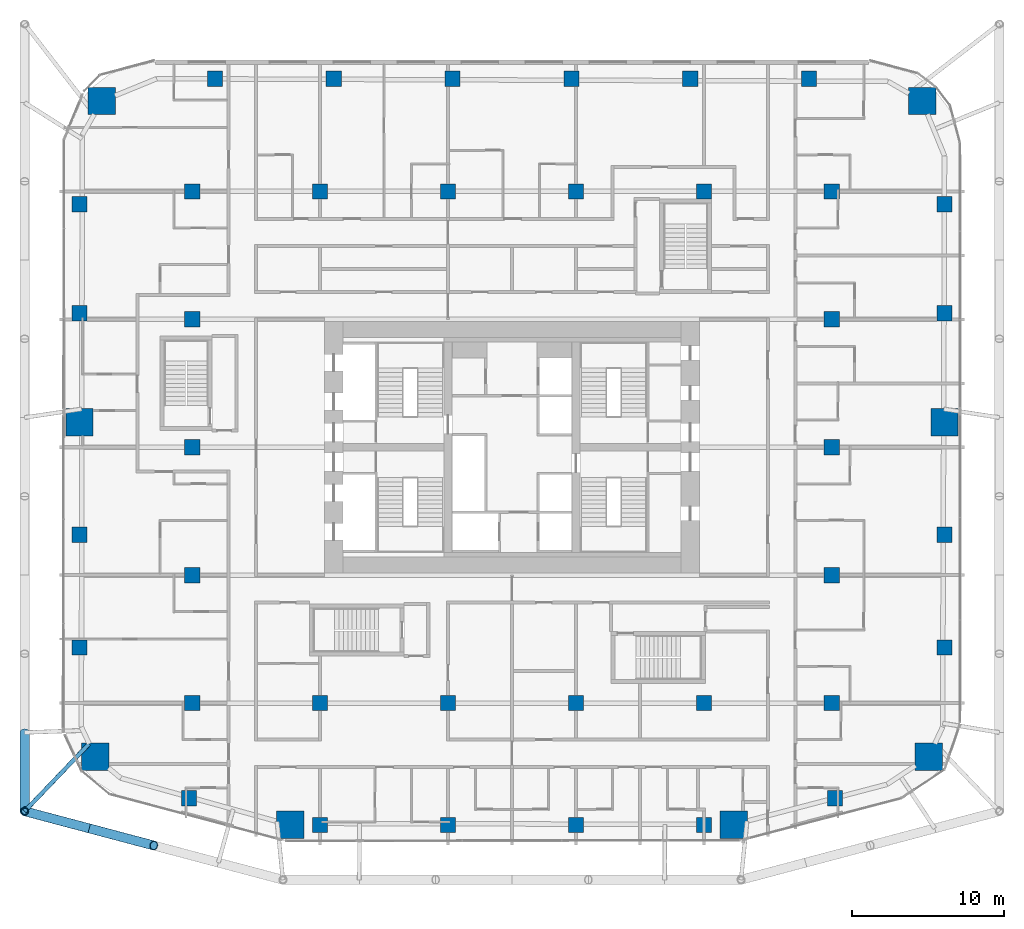
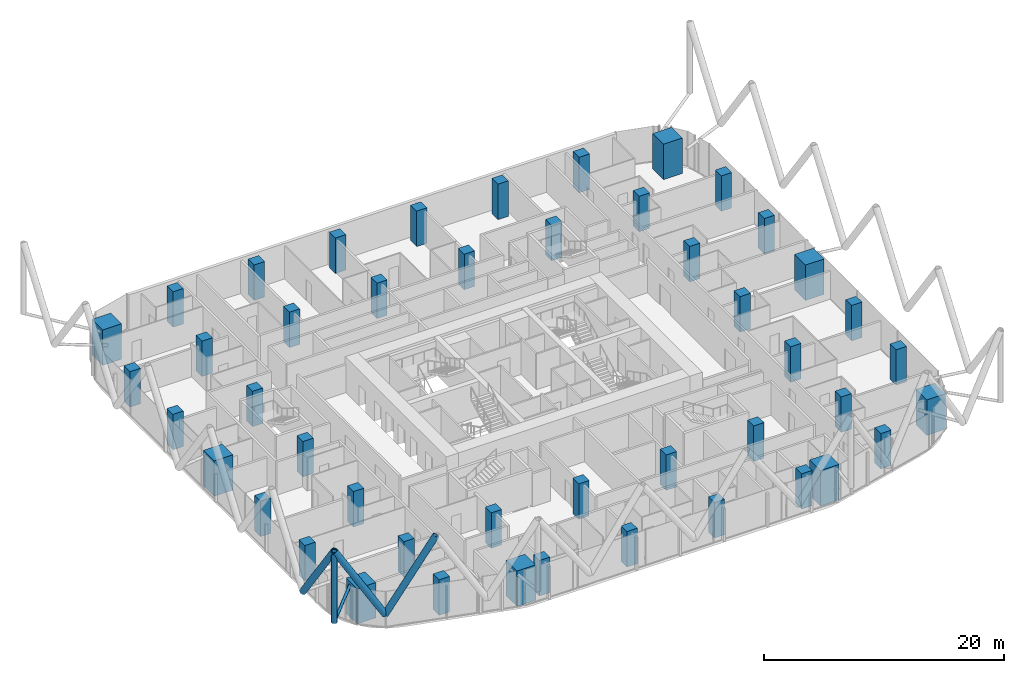
# One storey, part 1 of 38: 46 columns, 5 members.
"""IFC4 building model written with IfcOpenShell, lengths in metres."""

from ifc_helpers import new_model, si_unit, direction, frame, origin, origin_2d, place, context, subcontext, project, spatial, rectangle, hollow_circle, extrude, material, material_profile, profile_set, type_object, element, save


model = new_model("IFC4")

# Units and contexts
model_context = context("Model", 3, precision=1e-05, world=origin(), true_north=direction((0.0, 1.0)))
body_context = subcontext(model_context, "Body", "Model", "MODEL_VIEW")
ifc_project = project(units=[si_unit("LENGTHUNIT", "METRE"), si_unit("AREAUNIT", "SQUARE_METRE"), si_unit("VOLUMEUNIT", "CUBIC_METRE"), si_unit("PLANEANGLEUNIT", "RADIAN"), si_unit("MASSUNIT", "GRAM", prefix="KILO")], contexts=[model_context])

# Site, building, storey
site_placement = place(None, origin())
site = spatial("IfcSite", under=ifc_project, at=site_placement, CompositionType="ELEMENT")
building_placement = place(site_placement, origin())
building = spatial("IfcBuilding", under=site, at=building_placement, Name="Marenta Gate Hotel Tower", CompositionType="ELEMENT")
storey_placement = place(building_placement, frame((0.0, 0.0, 68.89990234375)))
storey = spatial("IfcBuildingStorey", under=building, at=storey_placement, Name="L15", CompositionType="ELEMENT", Elevation=68.89990234375)

# Columns
ifc_material_1 = material(Name="Concrete C80", Category="concrete")
ifc_material_profile_1 = material_profile(ifc_material_1, rectangle(XDim=1.0, YDim=1.0, at=origin_2d()), Name="1000 x 1000")
ifc_profile_set_1 = profile_set([ifc_material_profile_1], Name="Concrete C80")
column_type_1 = type_object("IfcColumnType", Name="Edge column 1000 x 1000 C80", PredefinedType="COLUMN", material=ifc_profile_set_1)
for number, where, z_axis, x_axis, name in (
    (1, (-28.39990234375, -4.751953125, 0.0), (0.0, 0.0, 1.0), (1.0, 0.0, 0.0), "L15-EC-SW-W-1"),
    (2, (-28.39990234375, 2.649169921875, 0.0), (0.0, 0.0, 1.0), (1.0, 0.0, 0.0), "L15-EC-SW-W-2"),
    (3, (-28.39990234375, 17.203125, 0.0), (0.0, 0.0, 1.0), (1.0, 0.0, 0.0), "L15-EC-W-NW-1"),
    (4, (-28.39990234375, 24.3564453125, 0.0), (0.0, 0.0, 1.0), (1.0, 0.0, 0.0), "L15-EC-W-NW-2"),
    (5, (-19.5068359375, 32.60009765625, 0.0), (0.0, 0.0, 1.0), (1.0, 0.0, 0.0), "L15-EC-NW-NE-1"),
    (6, (-11.7041015625, 32.60009765625, 0.0), (0.0, 0.0, 1.0), (1.0, 0.0, 0.0), "L15-EC-NW-NE-2"),
    (7, (-3.9013671875, 32.60009765625, 0.0), (0.0, 0.0, 1.0), (1.0, 0.0, 0.0), "L15-EC-NW-NE-3"),
    (8, (3.9013671875, 32.60009765625, 0.0), (0.0, 0.0, 1.0), (1.0, 0.0, 0.0), "L15-EC-NW-NE-4"),
    (9, (11.7041015625, 32.60009765625, 0.0), (0.0, 0.0, 1.0), (1.0, 0.0, 0.0), "L15-EC-NW-NE-5"),
    (10, (19.5068359375, 32.60009765625, 0.0), (0.0, 0.0, 1.0), (1.0, 0.0, 0.0), "L15-EC-NW-NE-6"),
    (11, (28.39990234375, 24.3564453125, 0.0), (0.0, 0.0, 1.0), (1.0, 0.0, 0.0), "L15-EC-NE-E-1"),
    (12, (28.39990234375, 17.203125, 0.0), (0.0, 0.0, 1.0), (1.0, 0.0, 0.0), "L15-EC-NE-E-2"),
    (13, (28.39990234375, 2.649169921875, 0.0), (0.0, 0.0, 1.0), (1.0, 0.0, 0.0), "L15-EC-E-SE-1"),
    (14, (28.39990234375, -4.751953125, 0.0), (0.0, 0.0, 1.0), (1.0, 0.0, 0.0), "L15-EC-E-SE-2"),
    (15, (21.206787109375, -14.63916015625, 0.0), (0.0, 0.0, 1.0), (1.0, 0.0, 0.0), "L15-EC-SE-SKE-1"),
    (16, (12.60009765625, -16.39990234375, 0.0), (0.0, 0.0, 1.0), (1.0, 0.0, 0.0), "L15-EC-SKE-SKW-1"),
    (17, (4.199951171875, -16.39990234375, 0.0), (0.0, 0.0, 1.0), (1.0, 0.0, 0.0), "L15-EC-SKE-SKW-2"),
    (18, (-4.199951171875, -16.39990234375, 0.0), (0.0, 0.0, 1.0), (1.0, 0.0, 0.0), "L15-EC-SKE-SKW-3"),
    (19, (-12.60009765625, -16.39990234375, 0.0), (0.0, 0.0, 1.0), (1.0, 0.0, 0.0), "L15-EC-SKE-SKW-4"),
    (20, (-21.206787109375, -14.63916015625, 0.0), (0.0, 0.0, 1.0), (1.0, 0.0, 0.0), "L15-EC-SKW-SW-1"),
):
    element("IfcColumn", number, at=place(storey_placement, frame(where, z_axis=z_axis, x_axis=x_axis)), inside=storey, type_object=column_type_1, Name=name, PredefinedType="COLUMN", context=body_context, shape_type="SweptSolid", body=[
        extrude(rectangle(XDim=1.0, YDim=1.0, at=origin_2d()), origin(), (0.0, 0.0, 1.0), 3.60009765625),
    ])
ifc_material_2 = material(Name="Concrete C80", Category="concrete")
ifc_material_profile_2 = material_profile(ifc_material_2, rectangle(XDim=1.0, YDim=1.0, at=origin_2d()), Name="1000 x 1000")
ifc_profile_set_2 = profile_set([ifc_material_profile_2], Name="Concrete C80")
column_type_2 = type_object("IfcColumnType", Name="Interior column 1000 x 1000 C80", PredefinedType="COLUMN", material=ifc_profile_set_2)
for number, where, z_axis, x_axis, name in (
    (21, (-21.0, -8.39990234375, 0.0), (0.0, 0.0, 1.0), (1.0, 0.0, 0.0), "L15-IC-4E"),
    (22, (-21.0, 0.0, 0.0), (0.0, 0.0, 1.0), (1.0, 0.0, 0.0), "L15-IC-4F"),
    (23, (-21.0, 8.39990234375, 0.0), (0.0, 0.0, 1.0), (1.0, 0.0, 0.0), "L15-IC-4G"),
    (24, (-21.0, 16.800048828125, 0.0), (0.0, 0.0, 1.0), (1.0, 0.0, 0.0), "L15-IC-4H"),
    (25, (-21.0, 25.199951171875, 0.0), (0.0, 0.0, 1.0), (1.0, 0.0, 0.0), "L15-IC-4I"),
    (26, (-12.60009765625, -8.39990234375, 0.0), (0.0, 0.0, 1.0), (1.0, 0.0, 0.0), "L15-IC-5E"),
    (27, (-12.60009765625, 25.199951171875, 0.0), (0.0, 0.0, 1.0), (1.0, 0.0, 0.0), "L15-IC-5I"),
    (28, (-4.199951171875, -8.39990234375, 0.0), (0.0, 0.0, 1.0), (1.0, 0.0, 0.0), "L15-IC-6E"),
    (29, (-4.199951171875, 25.199951171875, 0.0), (0.0, 0.0, 1.0), (1.0, 0.0, 0.0), "L15-IC-6I"),
    (30, (4.199951171875, -8.39990234375, 0.0), (0.0, 0.0, 1.0), (1.0, 0.0, 0.0), "L15-IC-7E"),
    (31, (4.199951171875, 25.199951171875, 0.0), (0.0, 0.0, 1.0), (1.0, 0.0, 0.0), "L15-IC-7I"),
    (32, (12.60009765625, -8.39990234375, 0.0), (0.0, 0.0, 1.0), (1.0, 0.0, 0.0), "L15-IC-8E"),
    (33, (12.60009765625, 25.199951171875, 0.0), (0.0, 0.0, 1.0), (1.0, 0.0, 0.0), "L15-IC-8I"),
    (34, (21.0, -8.39990234375, 0.0), (0.0, 0.0, 1.0), (1.0, 0.0, 0.0), "L15-IC-9E"),
    (35, (21.0, 0.0, 0.0), (0.0, 0.0, 1.0), (1.0, 0.0, 0.0), "L15-IC-9F"),
    (36, (21.0, 8.39990234375, 0.0), (0.0, 0.0, 1.0), (1.0, 0.0, 0.0), "L15-IC-9G"),
    (37, (21.0, 16.800048828125, 0.0), (0.0, 0.0, 1.0), (1.0, 0.0, 0.0), "L15-IC-9H"),
    (38, (21.0, 25.199951171875, 0.0), (0.0, 0.0, 1.0), (1.0, 0.0, 0.0), "L15-IC-9I"),
):
    element("IfcColumn", number, at=place(storey_placement, frame(where, z_axis=z_axis, x_axis=x_axis)), inside=storey, type_object=column_type_2, Name=name, PredefinedType="COLUMN", context=body_context, shape_type="SweptSolid", body=[
        extrude(rectangle(XDim=1.0, YDim=1.0, at=origin_2d()), origin(), (0.0, 0.0, 1.0), 3.60009765625),
    ])
ifc_material_3 = material(Name="Concrete C80", Category="concrete")
ifc_material_profile_3 = material_profile(ifc_material_3, rectangle(XDim=1.800048828125, YDim=1.800048828125, at=origin_2d()), Name="1800 x 1800")
ifc_profile_set_3 = profile_set([ifc_material_profile_3], Name="Concrete C80")
column_type_3 = type_object("IfcColumnType", Name="Mega column 1800 x 1800 C80", PredefinedType="COLUMN", material=ifc_profile_set_3)
for number, where, z_axis, x_axis, name in (
    (39, (-27.363037109375, -11.93310546875, 0.0), (0.0, 0.0, 1.0), (1.0, 0.0, 0.0), "L15-MC-SW"),
    (40, (-14.56640625, -16.374755859375, 0.0), (0.0, 0.0, 1.0), (1.0, 0.0, 0.0), "L15-MC-SKW"),
    (41, (14.56640625, -16.374755859375, 0.0), (0.0, 0.0, 1.0), (1.0, 0.0, 0.0), "L15-MC-SKE"),
    (42, (27.363037109375, -11.93310546875, 0.0), (0.0, 0.0, 1.0), (1.0, 0.0, 0.0), "L15-MC-SE"),
    (43, (28.39990234375, 10.050048828125, 0.0), (0.0, 0.0, 1.0), (1.0, 0.0, 0.0), "L15-MC-E"),
    (44, (26.935546875, 31.135498046875, 0.0), (0.0, 0.0, 1.0), (1.0, 0.0, 0.0), "L15-MC-NE"),
    (45, (-26.935546875, 31.135498046875, 0.0), (0.0, 0.0, 1.0), (1.0, 0.0, 0.0), "L15-MC-NW"),
    (46, (-28.39990234375, 10.050048828125, 0.0), (0.0, 0.0, 1.0), (1.0, 0.0, 0.0), "L15-MC-W"),
):
    element("IfcColumn", number, at=place(storey_placement, frame(where, z_axis=z_axis, x_axis=x_axis)), inside=storey, type_object=column_type_3, Name=name, PredefinedType="COLUMN", context=body_context, shape_type="SweptSolid", body=[
        extrude(rectangle(XDim=1.800048828125, YDim=1.800048828125, at=origin_2d()), origin(), (0.0, 0.0, 1.0), 3.60009765625),
    ])

# Members
ifc_material_4 = material(Name="Steel S355J2W", Category="steel")
ifc_material_profile_4 = material_profile(ifc_material_4, hollow_circle(Radius=0.25390625, WallThickness=0.0400390625, at=origin_2d()), Name="CHS 508x40")
ifc_profile_set_4 = profile_set([ifc_material_profile_4], Name="Steel S355J2W")
member_type_1 = type_object("IfcMemberType", Name="Diagrid corner post Z1 CHS 508x40", PredefinedType="POST", material=ifc_profile_set_4)
member_1_placement = place(storey_placement, frame((-32.0, -15.500244140625, 3.14013671875), z_axis=(0.0, 0.0, 1.0), x_axis=(1.0, 0.0, 0.0)))
element("IfcMember", 47, at=member_1_placement, inside=storey, type_object=member_type_1, Name="L15-DR-5", PredefinedType="POST", context=body_context, shape_type="SweptSolid", body=[
    extrude(hollow_circle(Radius=0.25390625, WallThickness=0.0400390625, at=origin_2d()), origin(), (0.0, 0.0, 1.0), 7.199951171875),
])
ifc_material_5 = material(Name="Steel S355J2W", Category="steel")
ifc_material_profile_5 = material_profile(ifc_material_5, hollow_circle(Radius=0.304931640625, WallThickness=0.0400390625, at=origin_2d()), Name="CHS 610x40")
ifc_profile_set_5 = profile_set([ifc_material_profile_5], Name="Steel S355J2W")
member_type_2 = type_object("IfcMemberType", Name="Diagrid diagonal Z1 CHS 610x40", PredefinedType="BRACE", material=ifc_profile_set_5)
for number, where, z_axis, x_axis, name in (
    (48, (-27.759765625, -16.625, 3.14013671875), (0.502924018666, -0.133433548941, 0.853968921838), (0.256443187528, 0.96655930577, 0.0), "L15-DG-23"),
    (49, (-27.759765625, -16.625, 3.14013671875), (-0.502925961678, 0.133405107407, 0.853972221087), (-0.256391194513, -0.966573098827, 0.0), "L15-DG-24"),
):
    element("IfcMember", number, at=place(storey_placement, frame(where, z_axis=z_axis, x_axis=x_axis)), inside=storey, type_object=member_type_2, Name=name, PredefinedType="BRACE", context=body_context, shape_type="SweptSolid", body=[
        extrude(hollow_circle(Radius=0.304931640625, WallThickness=0.0400390625, at=origin_2d()), origin(), (0.0, 0.0, 1.0), 8.43115234375),
    ])
member_2_placement = place(storey_placement, frame((-32.0, -10.330078125, 3.14013671875), z_axis=(0.0, -0.583279014058, 0.812271870595), x_axis=(1.0, 0.0, 0.0)))
element("IfcMember", 50, at=member_2_placement, inside=storey, type_object=member_type_2, Name="L15-DG-25", PredefinedType="BRACE", context=body_context, shape_type="SweptSolid", body=[
    extrude(hollow_circle(Radius=0.304931640625, WallThickness=0.0400390625, at=origin_2d()), origin(), (0.0, 0.0, 1.0), 8.864013671875),
])
ifc_material_6 = material(Name="Steel S355J2W", Category="steel")
ifc_material_profile_6 = material_profile(ifc_material_6, hollow_circle(Radius=0.136474609375, WallThickness=0.012451171875, at=origin_2d()), Name="CHS 273x12.5")
ifc_profile_set_6 = profile_set([ifc_material_profile_6], Name="Steel S355J2W")
member_type_3 = type_object("IfcMemberType", Name="Floor tie CHS 273x12.5", PredefinedType="STRUT", material=ifc_profile_set_6)
member_3_placement = place(storey_placement, frame((-32.0, -15.500244140625, 3.14013671875), z_axis=(0.691351135911, 0.722518931845, 0.0), x_axis=(-0.722518931845, 0.691351135911, 0.0)))
element("IfcMember", 51, at=member_3_placement, inside=storey, type_object=member_type_3, Name="L15-DR-18", PredefinedType="STRUT", context=body_context, shape_type="SweptSolid", body=[
    extrude(hollow_circle(Radius=0.136474609375, WallThickness=0.012451171875, at=origin_2d()), origin(), (0.0, 0.0, 1.0), 6.12548828125),
])

save(model, "model.ifc")
